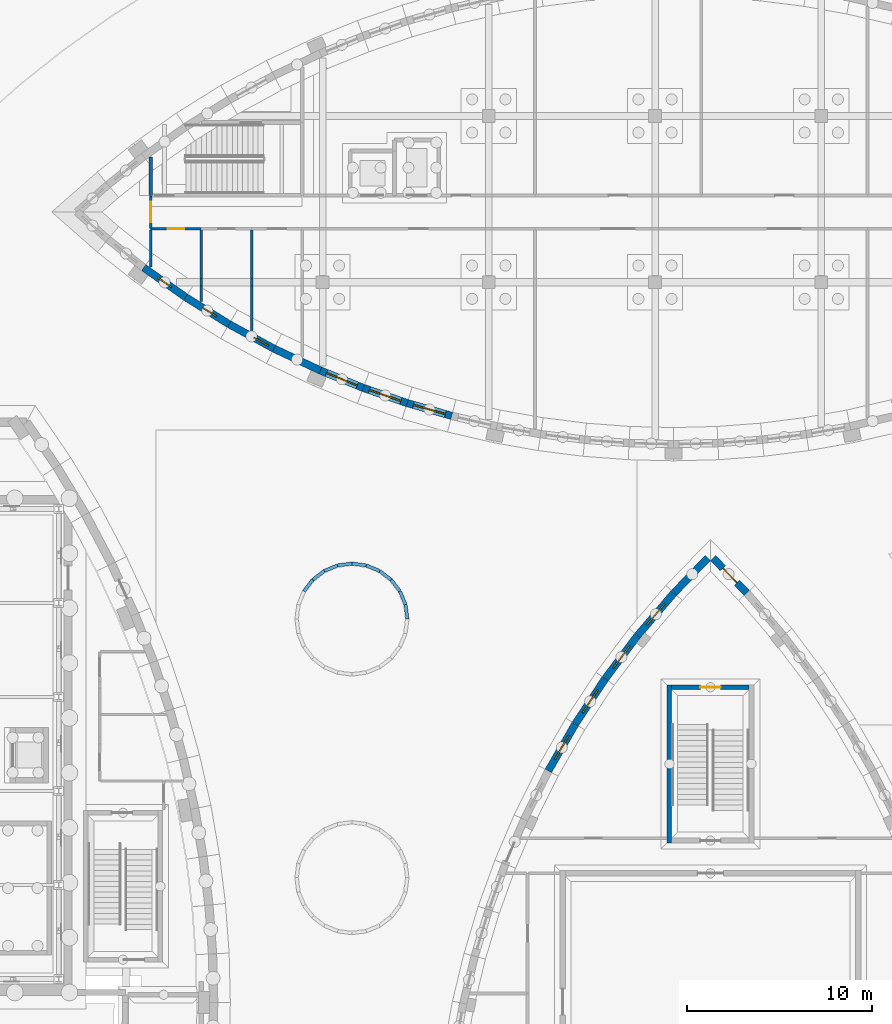
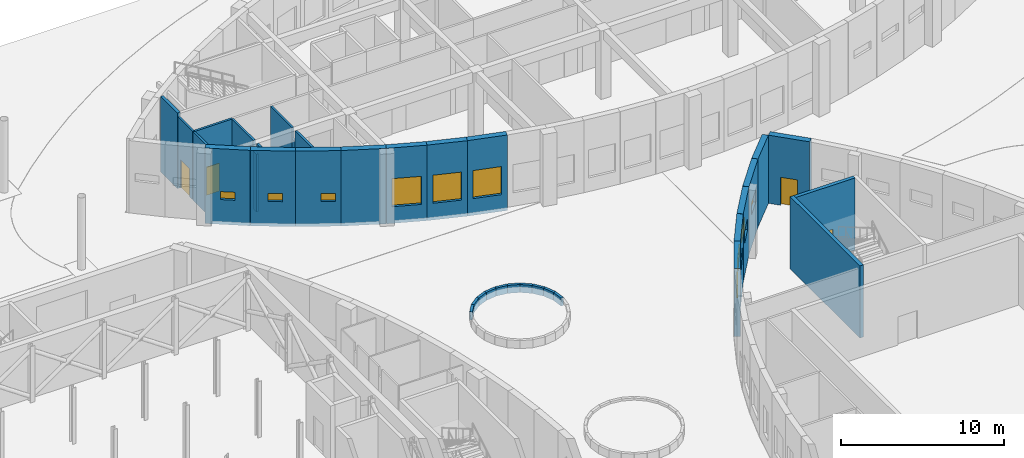
# One storey, part 62 of 82: 35 walls, 10 windows, 4 doors, 14 openings.
"""IFC4 building model written with IfcOpenShell, lengths in metres."""

from ifc_helpers import new_model, si_unit, direction, frame, frame_2d, origin, place, context, subcontext, project, spatial, rectangle, extrude, material, layer, layer_set, type_object, element, fill, save


model = new_model("IFC4")

# Units and contexts
model_context = context("Model", 3, precision=1e-05, world=origin(), true_north=direction((0.0, 1.0)))
body_context = subcontext(model_context, "Body", "Model", "MODEL_VIEW")
ifc_project = project(units=[si_unit("LENGTHUNIT", "METRE"), si_unit("AREAUNIT", "SQUARE_METRE"), si_unit("VOLUMEUNIT", "CUBIC_METRE"), si_unit("PLANEANGLEUNIT", "RADIAN"), si_unit("MASSUNIT", "GRAM", prefix="KILO")], contexts=[model_context])

# Site, building, storey
site_placement = place(None, origin())
site = spatial("IfcSite", under=ifc_project, at=site_placement, CompositionType="ELEMENT")
building_placement = place(site_placement, origin())
building = spatial("IfcBuilding", under=site, at=building_placement, Name="Tide Square Theatres", CompositionType="ELEMENT")
storey_placement = place(building_placement, origin())
storey = spatial("IfcBuildingStorey", under=building, at=storey_placement, Name="L00", CompositionType="ELEMENT", Elevation=0.0)

# Wall
ifc_material_1 = material(Name="Gypsum board on steel studs", Category="steel")
ifc_layer_1 = layer(ifc_material_1, 0.14990234375)
ifc_layer_set_1 = layer_set([ifc_layer_1], Name="Gypsum board on steel studs")
wall_type_1 = type_object("IfcWallType", Name="Partition 150 thick", PredefinedType="PARTITIONING", material=ifc_layer_set_1)
wall_1_placement = place(storey_placement, frame((101.699951171875, 94.8291015625, 0.0), z_axis=(0.0, 0.0, 1.0), x_axis=(0.0, 1.0, 0.0)))
element("IfcWall", 1, at=wall_1_placement, inside=storey, type_object=wall_type_1, Name="Rehearsal Block partition", PredefinedType="PARTITIONING", context=body_context, shape_type="SweptSolid", body=[
    extrude(rectangle(XDim=2.010986328125, YDim=0.14990234375, at=frame_2d((1.00537109375, 0.0))), origin(), (0.0, 0.0, 1.0), 5.1201171875),
])

# Wall, opening, door
wall_2_placement = place(storey_placement, frame((104.433349609375, 96.89990234375, 0.0), z_axis=(0.0, 0.0, 1.0), x_axis=(-1.0, 0.0, 0.0)))
wall_2 = element("IfcWall", 2, at=wall_2_placement, inside=storey, type_object=wall_type_1, Name="Rehearsal Block partition", PredefinedType="PARTITIONING", context=body_context, shape_type="SweptSolid", body=[
    extrude(rectangle(XDim=2.7333984375, YDim=0.14990234375, at=frame_2d((1.36669921875, 0.0))), origin(), (0.0, 0.0, 1.0), 5.1201171875),
])
opening_1_placement = place(wall_2_placement, frame((0.916748046875, 0.0, 0.0)))
opening_1 = element("IfcOpeningElement", 3, at=opening_1_placement, cuts=wall_2, Name="Opening R0-04", PredefinedType="OPENING", context=body_context, shape_type="SweptSolid", body=[
    extrude(rectangle(XDim=0.89990234375, YDim=2.10009765625, at=frame_2d((0.449951171875, 1.050048828125))), frame((0.0, 0.0849609375, 0.0), z_axis=(0.0, -1.0, 0.0), x_axis=(1.0, 0.0, 0.0)), (0.0, 0.0, 1.0), 0.169921875),
])
ifc_material_2 = material(Name="Hardwood timber", Category="wood")
door_type_1 = type_object("IfcDoorType", Name="Door 900 x 2100 single leaf", OperationType="NOTDEFINED", PredefinedType="DOOR", material=ifc_material_2)
door_1_placement = place(opening_1_placement, origin())
door_1 = element("IfcDoor", 4, at=door_1_placement, inside=storey, type_object=door_type_1, Name="Rehearsal Block door R0-04 to Gents WC W", OperationType="SINGLE_SWING_RIGHT", OverallHeight=2.10009765625, OverallWidth=0.89990234375, PredefinedType="DOOR", context=body_context, shape_type="SweptSolid", body=[
    extrude(rectangle(XDim=0.89990234375, YDim=2.10009765625, at=frame_2d((0.449951171875, 1.050048828125))), frame((0.0, 0.02490234375, 0.0), z_axis=(0.0, -1.0, 0.0), x_axis=(1.0, 0.0, 0.0)), (0.0, 0.0, 1.0), 0.050048828125),
])
fill(opening_1, door_1)

wall_3_placement = place(storey_placement, frame((101.699951171875, 96.89990234375, 0.0), z_axis=(0.0, 0.0, 1.0), x_axis=(0.0, 1.0, 0.0)))
wall_3 = element("IfcWall", 5, at=wall_3_placement, inside=storey, type_object=wall_type_1, Name="Rehearsal Block partition", PredefinedType="PARTITIONING", context=body_context, shape_type="SweptSolid", body=[
    extrude(rectangle(XDim=1.77001953125, YDim=0.14990234375, at=frame_2d((0.885009765625, 0.0))), origin(), (0.0, 0.0, 1.0), 5.1201171875),
])
opening_2_placement = place(wall_3_placement, frame((0.35009765625, 0.0, 0.0)))
opening_2 = element("IfcOpeningElement", 6, at=opening_2_placement, cuts=wall_3, Name="Opening R0-10", PredefinedType="OPENING", context=body_context, shape_type="SweptSolid", body=[
    extrude(rectangle(XDim=1.10009765625, YDim=2.10009765625, at=frame_2d((0.550048828125, 1.050048828125))), frame((0.0, 0.0849609375, 0.0), z_axis=(0.0, -1.0, 0.0), x_axis=(1.0, 0.0, 0.0)), (0.0, 0.0, 1.0), 0.169921875),
])
ifc_material_3 = material(Name="Painted steel", Category="steel")
door_type_2 = type_object("IfcDoorType", Name="Door 1100 x 2100 single leaf", OperationType="NOTDEFINED", PredefinedType="DOOR", material=ifc_material_3)
door_2_placement = place(opening_2_placement, origin())
door_2 = element("IfcDoor", 7, at=door_2_placement, inside=storey, type_object=door_type_2, Name="Rehearsal Block door R0-10 to Plant Room W", OperationType="SINGLE_SWING_RIGHT", OverallHeight=2.10009765625, OverallWidth=1.10009765625, PredefinedType="DOOR", context=body_context, shape_type="SweptSolid", body=[
    extrude(rectangle(XDim=1.10009765625, YDim=2.10009765625, at=frame_2d((0.550048828125, 1.050048828125))), frame((0.0, 0.02490234375, 0.0), z_axis=(0.0, -1.0, 0.0), x_axis=(1.0, 0.0, 0.0)), (0.0, 0.0, 1.0), 0.050048828125),
])
fill(opening_2, door_2)

# Walls
wall_4_placement = place(storey_placement, frame((104.433349609375, 96.840087890625, 0.0), z_axis=(0.0, 0.0, 1.0), x_axis=(0.0, -1.0, 0.0)))
element("IfcWall", 8, at=wall_4_placement, inside=storey, type_object=wall_type_1, Name="Rehearsal Block partition", PredefinedType="PARTITIONING", context=body_context, shape_type="SweptSolid", body=[
    extrude(rectangle(XDim=2.64013671875, YDim=0.14990234375, at=frame_2d((1.320068359375, 0.0))), origin(), (0.0, 0.0, 1.0), 5.1201171875),
])
wall_5_placement = place(storey_placement, frame((104.433349609375, 94.199951171875, 0.0), z_axis=(0.0, 0.0, 1.0), x_axis=(0.0, -1.0, 0.0)))
element("IfcWall", 9, at=wall_5_placement, inside=storey, type_object=wall_type_1, Name="Rehearsal Block partition", PredefinedType="PARTITIONING", context=body_context, shape_type="SweptSolid", body=[
    extrude(rectangle(XDim=0.39990234375, YDim=0.14990234375, at=frame_2d((0.199951171875, 0.0))), origin(), (0.0, 0.0, 1.0), 4.320068359375),
])
wall_6_placement = place(storey_placement, frame((104.433349609375, 93.800048828125, 0.0), z_axis=(0.0, 0.0, 1.0), x_axis=(0.0, -1.0, 0.0)))
element("IfcWall", 10, at=wall_6_placement, inside=storey, type_object=wall_type_1, Name="Rehearsal Block partition", PredefinedType="PARTITIONING", context=body_context, shape_type="SweptSolid", body=[
    extrude(rectangle(XDim=0.84033203125, YDim=0.14990234375, at=frame_2d((0.420166015625, 0.0))), origin(), (0.0, 0.0, 1.0), 5.1201171875),
])
wall_7_placement = place(storey_placement, frame((107.166748046875, 96.840087890625, 0.0), z_axis=(0.0, 0.0, 1.0), x_axis=(0.0, -1.0, 0.0)))
element("IfcWall", 11, at=wall_7_placement, inside=storey, type_object=wall_type_1, Name="Rehearsal Block partition", PredefinedType="PARTITIONING", context=body_context, shape_type="SweptSolid", body=[
    extrude(rectangle(XDim=2.64013671875, YDim=0.14990234375, at=frame_2d((1.320068359375, 0.0))), origin(), (0.0, 0.0, 1.0), 5.1201171875),
])
wall_8_placement = place(storey_placement, frame((107.166748046875, 94.199951171875, 0.0), z_axis=(0.0, 0.0, 1.0), x_axis=(0.0, -1.0, 0.0)))
element("IfcWall", 12, at=wall_8_placement, inside=storey, type_object=wall_type_1, Name="Rehearsal Block partition", PredefinedType="PARTITIONING", context=body_context, shape_type="SweptSolid", body=[
    extrude(rectangle(XDim=0.39990234375, YDim=0.14990234375, at=frame_2d((0.199951171875, 0.0))), origin(), (0.0, 0.0, 1.0), 4.320068359375),
])
wall_9_placement = place(storey_placement, frame((107.166748046875, 93.800048828125, 0.0), z_axis=(0.0, 0.0, 1.0), x_axis=(0.0, -1.0, 0.0)))
element("IfcWall", 13, at=wall_9_placement, inside=storey, type_object=wall_type_1, Name="Rehearsal Block partition", PredefinedType="PARTITIONING", context=body_context, shape_type="SweptSolid", body=[
    extrude(rectangle(XDim=2.455078125, YDim=0.14990234375, at=frame_2d((1.2275390625, 0.0))), origin(), (0.0, 0.0, 1.0), 5.1201171875),
])

# Wall, opening, door
ifc_material_4 = material(Name="Concrete C40", Category="concrete")
ifc_layer_2 = layer(ifc_material_4, 0.39990234375)
ifc_layer_set_2 = layer_set([ifc_layer_2], Name="Concrete C40")
wall_type_2 = type_object("IfcWallType", Name="RC curved wall 400 thick", PredefinedType="SOLIDWALL", material=ifc_layer_set_2)
wall_10_placement = place(storey_placement, frame((133.967529296875, 77.184814453125, 0.0), z_axis=(0.0, 0.0, 1.0), x_axis=(-0.696353968975, 0.71769850905, 0.0)))
wall_10 = element("IfcWall", 14, at=wall_10_placement, inside=storey, type_object=wall_type_2, Name="Black Box Theatre perimeter wall", PredefinedType="SOLIDWALL", context=body_context, shape_type="SweptSolid", body=[
    extrude(rectangle(XDim=2.619384765625, YDim=0.39990234375, at=frame_2d((1.3095703125, 0.0))), origin(), (0.0, 0.0, 1.0), 5.10009765625),
])
opening_3_placement = place(wall_10_placement, frame((0.759765625, 0.0, 0.0)))
opening_3 = element("IfcOpeningElement", 15, at=opening_3_placement, cuts=wall_10, Name="Opening B00-03", PredefinedType="OPENING", context=body_context, shape_type="SweptSolid", body=[
    extrude(rectangle(XDim=1.10009765625, YDim=2.10009765625, at=frame_2d((0.550048828125, 1.050048828125))), frame((0.0, 0.2099609375, 0.0), z_axis=(0.0, -1.0, 0.0), x_axis=(1.0, 0.0, 0.0)), (0.0, 0.0, 1.0), 0.419921875),
])
door_3_placement = place(opening_3_placement, frame((1.10009765625, 0.0, 0.0), z_axis=(0.0, 0.0, 1.0), x_axis=(-1.0, 0.0, 0.0)))
door_3 = element("IfcDoor", 16, at=door_3_placement, inside=storey, type_object=door_type_2, Name="Black Box Theatre exit passage door 1", OperationType="SINGLE_SWING_RIGHT", OverallHeight=2.10009765625, OverallWidth=1.10009765625, PredefinedType="DOOR", context=body_context, shape_type="SweptSolid", body=[
    extrude(rectangle(XDim=1.10009765625, YDim=2.10009765625, at=frame_2d((0.550048828125, 1.050048828125))), frame((0.0, 0.02490234375, 0.0), z_axis=(0.0, -1.0, 0.0), x_axis=(1.0, 0.0, 0.0)), (0.0, 0.0, 1.0), 0.050048828125),
])
fill(opening_3, door_3)

# Wall
wall_11_placement = place(storey_placement, frame((131.8564453125, 79.064697265625, 0.0), z_axis=(0.0, 0.0, 1.0), x_axis=(-0.696353968975, -0.71769850905, 0.0)))
element("IfcWall", 17, at=wall_11_placement, inside=storey, type_object=wall_type_2, Name="Black Box Theatre perimeter wall", PredefinedType="SOLIDWALL", context=body_context, shape_type="SweptSolid", body=[
    extrude(rectangle(XDim=2.619384765625, YDim=0.39990234375, at=frame_2d((1.3095703125, 0.0))), origin(), (0.0, 0.0, 1.0), 5.10009765625),
])

# Wall, opening, window
wall_12_placement = place(storey_placement, frame((130.02392578125, 77.175537109375, 0.0), z_axis=(0.0, 0.0, 1.0), x_axis=(-0.649458578854, -0.760396971557, 0.0)))
wall_12 = element("IfcWall", 18, at=wall_12_placement, inside=storey, type_object=wall_type_2, Name="Black Box Theatre perimeter wall", PredefinedType="SOLIDWALL", context=body_context, shape_type="SweptSolid", body=[
    extrude(rectangle(XDim=3.019287109375, YDim=0.39990234375, at=frame_2d((1.509765625, 0.0))), origin(), (0.0, 0.0, 1.0), 5.10009765625),
])
opening_4_placement = place(wall_12_placement, frame((0.759521484375, 0.0, 2.39990234375)))
opening_4 = element("IfcOpeningElement", 19, at=opening_4_placement, cuts=wall_12, Name="Opening WN-04", PredefinedType="OPENING", context=body_context, shape_type="SweptSolid", body=[
    extrude(rectangle(XDim=1.5, YDim=0.89990234375, at=frame_2d((0.75, 0.449951171875))), frame((0.0, 0.2099609375, 0.0), z_axis=(0.0, -1.0, 0.0), x_axis=(1.0, 0.0, 0.0)), (0.0, 0.0, 1.0), 0.419921875),
])
ifc_material_5 = material(Name="Aluminium with laminated glass", Category="aluminium")
window_type_1 = type_object("IfcWindowType", Name="Window 1500 x 900", PartitioningType="SINGLE_PANEL", PredefinedType="WINDOW", material=ifc_material_5)
window_1_placement = place(opening_4_placement, origin())
window_1 = element("IfcWindow", 20, at=window_1_placement, inside=storey, type_object=window_type_1, Name="Black Box Theatre Rostra Store window", OverallHeight=0.89990234375, OverallWidth=1.5, PartitioningType="SINGLE_PANEL", PredefinedType="WINDOW", context=body_context, shape_type="SweptSolid", body=[
    extrude(rectangle(XDim=1.5, YDim=0.89990234375, at=frame_2d((0.75, 0.449951171875))), frame((0.0, 0.030029296875, 0.0), z_axis=(0.0, -1.0, 0.0), x_axis=(1.0, 0.0, 0.0)), (0.0, 0.0, 1.0), 0.06005859375),
])
fill(opening_4, window_1)

wall_13_placement = place(storey_placement, frame((128.055419921875, 74.869873046875, 0.0), z_axis=(0.0, 0.0, 1.0), x_axis=(-0.600829330321, -0.799377330068, 0.0)))
wall_13 = element("IfcWall", 21, at=wall_13_placement, inside=storey, type_object=wall_type_2, Name="Black Box Theatre perimeter wall", PredefinedType="SOLIDWALL", context=body_context, shape_type="SweptSolid", body=[
    extrude(rectangle(XDim=2.919189453125, YDim=0.39990234375, at=frame_2d((1.45947265625, 0.0))), origin(), (0.0, 0.0, 1.0), 5.10009765625),
])
opening_5_placement = place(wall_13_placement, frame((0.709716796875, 0.0, 2.39990234375)))
opening_5 = element("IfcOpeningElement", 22, at=opening_5_placement, cuts=wall_13, Name="Opening WN-04", PredefinedType="OPENING", context=body_context, shape_type="SweptSolid", body=[
    extrude(rectangle(XDim=1.5, YDim=0.89990234375, at=frame_2d((0.75, 0.449951171875))), frame((0.0, 0.2099609375, 0.0), z_axis=(0.0, -1.0, 0.0), x_axis=(1.0, 0.0, 0.0)), (0.0, 0.0, 1.0), 0.419921875),
])
window_2_placement = place(opening_5_placement, origin())
window_2 = element("IfcWindow", 23, at=window_2_placement, inside=storey, type_object=window_type_1, Name="Black Box Theatre Rostra Store window", OverallHeight=0.89990234375, OverallWidth=1.5, PartitioningType="SINGLE_PANEL", PredefinedType="WINDOW", context=body_context, shape_type="SweptSolid", body=[
    extrude(rectangle(XDim=1.5, YDim=0.89990234375, at=frame_2d((0.75, 0.449951171875))), frame((0.0, 0.030029296875, 0.0), z_axis=(0.0, -1.0, 0.0), x_axis=(1.0, 0.0, 0.0)), (0.0, 0.0, 1.0), 0.06005859375),
])
fill(opening_5, window_2)

wall_14_placement = place(storey_placement, frame((126.29443359375, 72.5263671875, 0.0), z_axis=(0.0, 0.0, 1.0), x_axis=(-0.550602185206, -0.834767772285, 0.0)))
wall_14 = element("IfcWall", 24, at=wall_14_placement, inside=storey, type_object=wall_type_2, Name="Black Box Theatre perimeter wall", PredefinedType="SOLIDWALL", context=body_context, shape_type="SweptSolid", body=[
    extrude(rectangle(XDim=2.91943359375, YDim=0.39990234375, at=frame_2d((1.459716796875, 0.0))), origin(), (0.0, 0.0, 1.0), 5.10009765625),
])
opening_6_placement = place(wall_14_placement, frame((0.709716796875, 0.0, 2.39990234375)))
opening_6 = element("IfcOpeningElement", 25, at=opening_6_placement, cuts=wall_14, Name="Opening WN-04", PredefinedType="OPENING", context=body_context, shape_type="SweptSolid", body=[
    extrude(rectangle(XDim=1.5, YDim=0.89990234375, at=frame_2d((0.75, 0.449951171875))), frame((0.0, 0.2099609375, 0.0), z_axis=(0.0, -1.0, 0.0), x_axis=(1.0, 0.0, 0.0)), (0.0, 0.0, 1.0), 0.419921875),
])
window_3_placement = place(opening_6_placement, origin())
window_3 = element("IfcWindow", 26, at=window_3_placement, inside=storey, type_object=window_type_1, Name="Black Box Theatre Rostra Store window", OverallHeight=0.89990234375, OverallWidth=1.5, PartitioningType="SINGLE_PANEL", PredefinedType="WINDOW", context=body_context, shape_type="SweptSolid", body=[
    extrude(rectangle(XDim=1.5, YDim=0.89990234375, at=frame_2d((0.75, 0.449951171875))), frame((0.0, 0.030029296875, 0.0), z_axis=(0.0, -1.0, 0.0), x_axis=(1.0, 0.0, 0.0)), (0.0, 0.0, 1.0), 0.06005859375),
])
fill(opening_6, window_3)

wall_15_placement = place(storey_placement, frame((124.6806640625, 70.0791015625, 0.0), z_axis=(0.0, 0.0, 1.0), x_axis=(-0.498406705095, -0.866943340892, 0.0)))
wall_15 = element("IfcWall", 27, at=wall_15_placement, inside=storey, type_object=wall_type_2, Name="Black Box Theatre perimeter wall", PredefinedType="SOLIDWALL", context=body_context, shape_type="SweptSolid", body=[
    extrude(rectangle(XDim=2.91943359375, YDim=0.39990234375, at=frame_2d((1.459716796875, 0.0))), origin(), (0.0, 0.0, 1.0), 5.10009765625),
])
opening_7_placement = place(wall_15_placement, frame((0.709716796875, 0.0, 2.39990234375)))
opening_7 = element("IfcOpeningElement", 28, at=opening_7_placement, cuts=wall_15, Name="Opening WN-04", PredefinedType="OPENING", context=body_context, shape_type="SweptSolid", body=[
    extrude(rectangle(XDim=1.5, YDim=0.89990234375, at=frame_2d((0.75, 0.449951171875))), frame((0.0, 0.2099609375, 0.0), z_axis=(0.0, -1.0, 0.0), x_axis=(1.0, 0.0, 0.0)), (0.0, 0.0, 1.0), 0.419921875),
])
window_4_placement = place(opening_7_placement, origin())
window_4 = element("IfcWindow", 29, at=window_4_placement, inside=storey, type_object=window_type_1, Name="Black Box Theatre Rostra Store window", OverallHeight=0.89990234375, OverallWidth=1.5, PartitioningType="SINGLE_PANEL", PredefinedType="WINDOW", context=body_context, shape_type="SweptSolid", body=[
    extrude(rectangle(XDim=1.5, YDim=0.89990234375, at=frame_2d((0.75, 0.449951171875))), frame((0.0, 0.030029296875, 0.0), z_axis=(0.0, -1.0, 0.0), x_axis=(1.0, 0.0, 0.0)), (0.0, 0.0, 1.0), 0.06005859375),
])
fill(opening_7, window_4)

wall_16_placement = place(storey_placement, frame((101.31982421875, 94.79150390625, -0.25), z_axis=(0.0, 0.0, 1.0), x_axis=(0.817028877428, -0.576596751161, 0.0)))
wall_16 = element("IfcWall", 30, at=wall_16_placement, inside=storey, type_object=wall_type_2, Name="Rehearsal Block perimeter wall 002", PredefinedType="SOLIDWALL", context=body_context, shape_type="SweptSolid", body=[
    extrude(rectangle(XDim=2.772216796875, YDim=0.39990234375, at=frame_2d((1.38623046875, 0.0))), origin(), (0.0, 0.0, 1.0), 5.64990234375),
])
opening_8_placement = place(wall_16_placement, frame((0.93603515625, 0.0, 1.85009765625)))
opening_8 = element("IfcOpeningElement", 31, at=opening_8_placement, cuts=wall_16, Name="Opening WN-12", PredefinedType="OPENING", context=body_context, shape_type="SweptSolid", body=[
    extrude(rectangle(XDim=0.89990234375, YDim=0.60009765625, at=frame_2d((0.449951171875, 0.300048828125))), frame((0.0, 0.2099609375, 0.0), z_axis=(0.0, -1.0, 0.0), x_axis=(1.0, 0.0, 0.0)), (0.0, 0.0, 1.0), 0.419921875),
])
ifc_material_6 = material(Name="Aluminium with laminated glass", Category="aluminium")
window_type_2 = type_object("IfcWindowType", Name="Window 900 x 600", PartitioningType="SINGLE_PANEL", PredefinedType="WINDOW", material=ifc_material_6)
window_5_placement = place(opening_8_placement, origin())
window_5 = element("IfcWindow", 32, at=window_5_placement, inside=storey, type_object=window_type_2, Name="Rehearsal Block window L00-3", OverallHeight=0.60009765625, OverallWidth=0.89990234375, PartitioningType="SINGLE_PANEL", PredefinedType="WINDOW", context=body_context, shape_type="SweptSolid", body=[
    extrude(rectangle(XDim=0.89990234375, YDim=0.60009765625, at=frame_2d((0.449951171875, 0.300048828125))), frame((0.0, 0.030029296875, 0.0), z_axis=(0.0, -1.0, 0.0), x_axis=(1.0, 0.0, 0.0)), (0.0, 0.0, 1.0), 0.06005859375),
])
fill(opening_8, window_5)

wall_17_placement = place(storey_placement, frame((103.584716796875, 93.193115234375, -0.25), z_axis=(0.0, 0.0, 1.0), x_axis=(0.84912946359, -0.528184772653, 0.0)))
wall_17 = element("IfcWall", 33, at=wall_17_placement, inside=storey, type_object=wall_type_2, Name="Rehearsal Block perimeter wall 003", PredefinedType="SOLIDWALL", context=body_context, shape_type="SweptSolid", body=[
    extrude(rectangle(XDim=2.77197265625, YDim=0.39990234375, at=frame_2d((1.385986328125, 0.0))), origin(), (0.0, 0.0, 1.0), 5.64990234375),
])
opening_9_placement = place(wall_17_placement, frame((1.0859375, 0.0, 1.85009765625)))
opening_9 = element("IfcOpeningElement", 34, at=opening_9_placement, cuts=wall_17, Name="Opening WN-12", PredefinedType="OPENING", context=body_context, shape_type="SweptSolid", body=[
    extrude(rectangle(XDim=0.89990234375, YDim=0.60009765625, at=frame_2d((0.449951171875, 0.300048828125))), frame((0.0, 0.2099609375, 0.0), z_axis=(0.0, -1.0, 0.0), x_axis=(1.0, 0.0, 0.0)), (0.0, 0.0, 1.0), 0.419921875),
])
window_6_placement = place(opening_9_placement, origin())
window_6 = element("IfcWindow", 35, at=window_6_placement, inside=storey, type_object=window_type_2, Name="Rehearsal Block window L00-4", OverallHeight=0.60009765625, OverallWidth=0.89990234375, PartitioningType="SINGLE_PANEL", PredefinedType="WINDOW", context=body_context, shape_type="SweptSolid", body=[
    extrude(rectangle(XDim=0.89990234375, YDim=0.60009765625, at=frame_2d((0.449951171875, 0.300048828125))), frame((0.0, 0.030029296875, 0.0), z_axis=(0.0, -1.0, 0.0), x_axis=(1.0, 0.0, 0.0)), (0.0, 0.0, 1.0), 0.06005859375),
])
fill(opening_9, window_6)

wall_18_placement = place(storey_placement, frame((105.9384765625, 91.72900390625, -0.25), z_axis=(0.0, 0.0, 1.0), x_axis=(0.878292493566, -0.478123724308, 0.0)))
wall_18 = element("IfcWall", 36, at=wall_18_placement, inside=storey, type_object=wall_type_2, Name="Rehearsal Block perimeter wall 004", PredefinedType="SOLIDWALL", context=body_context, shape_type="SweptSolid", body=[
    extrude(rectangle(XDim=2.771728515625, YDim=0.39990234375, at=frame_2d((1.3857421875, 0.0))), origin(), (0.0, 0.0, 1.0), 5.64990234375),
])
opening_10_placement = place(wall_18_placement, frame((1.535888671875, 0.0, 1.85009765625)))
opening_10 = element("IfcOpeningElement", 37, at=opening_10_placement, cuts=wall_18, Name="Opening WN-12", PredefinedType="OPENING", context=body_context, shape_type="SweptSolid", body=[
    extrude(rectangle(XDim=0.89990234375, YDim=0.60009765625, at=frame_2d((0.449951171875, 0.300048828125))), frame((0.0, 0.2099609375, 0.0), z_axis=(0.0, -1.0, 0.0), x_axis=(1.0, 0.0, 0.0)), (0.0, 0.0, 1.0), 0.419921875),
])
window_7_placement = place(opening_10_placement, origin())
window_7 = element("IfcWindow", 38, at=window_7_placement, inside=storey, type_object=window_type_2, Name="Rehearsal Block window L00-5", OverallHeight=0.60009765625, OverallWidth=0.89990234375, PartitioningType="SINGLE_PANEL", PredefinedType="WINDOW", context=body_context, shape_type="SweptSolid", body=[
    extrude(rectangle(XDim=0.89990234375, YDim=0.60009765625, at=frame_2d((0.449951171875, 0.300048828125))), frame((0.0, 0.030029296875, 0.0), z_axis=(0.0, -1.0, 0.0), x_axis=(1.0, 0.0, 0.0)), (0.0, 0.0, 1.0), 0.06005859375),
])
fill(opening_10, window_7)

# Wall
wall_19_placement = place(storey_placement, frame((108.372802734375, 90.40380859375, -0.25), z_axis=(0.0, 0.0, 1.0), x_axis=(0.904527098751, -0.42641614372, 0.0)))
element("IfcWall", 39, at=wall_19_placement, inside=storey, type_object=wall_type_2, Name="Rehearsal Block perimeter wall 005", PredefinedType="SOLIDWALL", context=body_context, shape_type="SweptSolid", body=[
    extrude(rectangle(XDim=2.772216796875, YDim=0.39990234375, at=frame_2d((1.38623046875, 0.0))), origin(), (0.0, 0.0, 1.0), 5.64990234375),
])

# Wall, opening, window
wall_20_placement = place(storey_placement, frame((110.88037109375, 89.2216796875, -0.25), z_axis=(0.0, 0.0, 1.0), x_axis=(0.926722795862, -0.375745738007, 0.0)))
wall_20 = element("IfcWall", 40, at=wall_20_placement, inside=storey, type_object=wall_type_2, Name="Rehearsal Block perimeter wall 006", PredefinedType="SOLIDWALL", context=body_context, shape_type="SweptSolid", body=[
    extrude(rectangle(XDim=2.5107421875, YDim=0.39990234375, at=frame_2d((1.25537109375, 0.0))), origin(), (0.0, 0.0, 1.0), 5.64990234375),
])
opening_11_placement = place(wall_20_placement, frame((0.35546875, 0.0, 1.25)))
opening_11 = element("IfcOpeningElement", 41, at=opening_11_placement, cuts=wall_20, Name="Opening WN-14", PredefinedType="OPENING", context=body_context, shape_type="SweptSolid", body=[
    extrude(rectangle(XDim=1.800048828125, YDim=2.10009765625, at=frame_2d((0.89990234375, 1.050048828125))), frame((0.0, 0.2099609375, 0.0), z_axis=(0.0, -1.0, 0.0), x_axis=(1.0, 0.0, 0.0)), (0.0, 0.0, 1.0), 0.419921875),
])
ifc_material_7 = material(Name="Aluminium with laminated glass", Category="aluminium")
window_type_3 = type_object("IfcWindowType", Name="Window 1800 x 2100", PartitioningType="DOUBLE_PANEL_VERTICAL", PredefinedType="WINDOW", material=ifc_material_7)
window_8_placement = place(opening_11_placement, origin())
window_8 = element("IfcWindow", 42, at=window_8_placement, inside=storey, type_object=window_type_3, Name="Rehearsal Block window L00-6", OverallHeight=2.10009765625, OverallWidth=1.800048828125, PartitioningType="SINGLE_PANEL", PredefinedType="WINDOW", context=body_context, shape_type="SweptSolid", body=[
    extrude(rectangle(XDim=1.800048828125, YDim=2.10009765625, at=frame_2d((0.89990234375, 1.050048828125))), frame((0.0, 0.030029296875, 0.0), z_axis=(0.0, -1.0, 0.0), x_axis=(1.0, 0.0, 0.0)), (0.0, 0.0, 1.0), 0.06005859375),
])
fill(opening_11, window_8)

wall_21_placement = place(storey_placement, frame((113.20703125, 88.2783203125, -0.25), z_axis=(0.0, 0.0, 1.0), x_axis=(0.94514546406, -0.326649738659, 0.0)))
wall_21 = element("IfcWall", 43, at=wall_21_placement, inside=storey, type_object=wall_type_2, Name="Rehearsal Block perimeter wall 007", PredefinedType="SOLIDWALL", context=body_context, shape_type="SweptSolid", body=[
    extrude(rectangle(XDim=2.51123046875, YDim=0.39990234375, at=frame_2d((1.255615234375, 0.0))), origin(), (0.0, 0.0, 1.0), 5.64990234375),
])
opening_12_placement = place(wall_21_placement, frame((0.35546875, 0.0, 1.25)))
opening_12 = element("IfcOpeningElement", 44, at=opening_12_placement, cuts=wall_21, Name="Opening WN-14", PredefinedType="OPENING", context=body_context, shape_type="SweptSolid", body=[
    extrude(rectangle(XDim=1.800048828125, YDim=2.10009765625, at=frame_2d((0.89990234375, 1.050048828125))), frame((0.0, 0.2099609375, 0.0), z_axis=(0.0, -1.0, 0.0), x_axis=(1.0, 0.0, 0.0)), (0.0, 0.0, 1.0), 0.419921875),
])
window_9_placement = place(opening_12_placement, origin())
window_9 = element("IfcWindow", 45, at=window_9_placement, inside=storey, type_object=window_type_3, Name="Rehearsal Block window L00-7", OverallHeight=2.10009765625, OverallWidth=1.800048828125, PartitioningType="SINGLE_PANEL", PredefinedType="WINDOW", context=body_context, shape_type="SweptSolid", body=[
    extrude(rectangle(XDim=1.800048828125, YDim=2.10009765625, at=frame_2d((0.89990234375, 1.050048828125))), frame((0.0, 0.030029296875, 0.0), z_axis=(0.0, -1.0, 0.0), x_axis=(1.0, 0.0, 0.0)), (0.0, 0.0, 1.0), 0.06005859375),
])
fill(opening_12, window_9)

wall_22_placement = place(storey_placement, frame((115.58056640625, 87.4580078125, -0.25), z_axis=(0.0, 0.0, 1.0), x_axis=(0.961008605775, -0.276518461637, 0.0)))
wall_22 = element("IfcWall", 46, at=wall_22_placement, inside=storey, type_object=wall_type_2, Name="Rehearsal Block perimeter wall 008", PredefinedType="SOLIDWALL", context=body_context, shape_type="SweptSolid", body=[
    extrude(rectangle(XDim=2.510986328125, YDim=0.39990234375, at=frame_2d((1.25537109375, 0.0))), origin(), (0.0, 0.0, 1.0), 5.64990234375),
])
opening_13_placement = place(wall_22_placement, frame((0.35546875, 0.0, 1.25)))
opening_13 = element("IfcOpeningElement", 47, at=opening_13_placement, cuts=wall_22, Name="Opening WN-14", PredefinedType="OPENING", context=body_context, shape_type="SweptSolid", body=[
    extrude(rectangle(XDim=1.800048828125, YDim=2.10009765625, at=frame_2d((0.89990234375, 1.050048828125))), frame((0.0, 0.2099609375, 0.0), z_axis=(0.0, -1.0, 0.0), x_axis=(1.0, 0.0, 0.0)), (0.0, 0.0, 1.0), 0.419921875),
])
window_10_placement = place(opening_13_placement, origin())
window_10 = element("IfcWindow", 48, at=window_10_placement, inside=storey, type_object=window_type_3, Name="Rehearsal Block window L00-8", OverallHeight=2.10009765625, OverallWidth=1.800048828125, PartitioningType="SINGLE_PANEL", PredefinedType="WINDOW", context=body_context, shape_type="SweptSolid", body=[
    extrude(rectangle(XDim=1.800048828125, YDim=2.10009765625, at=frame_2d((0.89990234375, 1.050048828125))), frame((0.0, 0.030029296875, 0.0), z_axis=(0.0, -1.0, 0.0), x_axis=(1.0, 0.0, 0.0)), (0.0, 0.0, 1.0), 0.06005859375),
])
fill(opening_13, window_10)

# Walls
ifc_material_8 = material(Name="Concrete C40", Category="concrete")
ifc_layer_3 = layer(ifc_material_8, 0.179931640625)
ifc_layer_set_3 = layer_set([ifc_layer_3], Name="Concrete C40")
wall_type_3 = type_object("IfcWallType", Name="RC parapet 180 thick", PredefinedType="PARAPET", material=ifc_layer_set_3)
for number, where, z_axis, x_axis, name in (
    (49, (109.994873046875, 77.266845703125, 0.0), (0.0, 0.0, 1.0), (0.608791411033, 0.793330333374, 0.0), "Planter wall"),
    (50, (110.4716796875, 77.88818359375, 0.0), (0.0, 0.0, 1.0), (0.793330333374, 0.608791411033, 0.0), "Planter wall"),
):
    element("IfcWall", number, at=place(storey_placement, frame(where, z_axis=z_axis, x_axis=x_axis)), inside=storey, type_object=wall_type_3, Name=name, PredefinedType="PARAPET", context=body_context, shape_type="SweptSolid", body=[
        extrude(rectangle(XDim=0.783203125, YDim=0.179931640625, at=frame_2d((0.3916015625, 0.0))), origin(), (0.0, 0.0, 1.0), 0.60009765625),
    ])
wall_23_placement = place(storey_placement, frame((111.093017578125, 78.364990234375, 0.0), z_axis=(0.0, 0.0, 1.0), x_axis=(0.923914231908, 0.382599649866, 0.0)))
element("IfcWall", 51, at=wall_23_placement, inside=storey, type_object=wall_type_3, Name="Planter wall", PredefinedType="PARAPET", context=body_context, shape_type="SweptSolid", body=[
    extrude(rectangle(XDim=0.782958984375, YDim=0.179931640625, at=frame_2d((0.3916015625, 0.0))), origin(), (0.0, 0.0, 1.0), 0.60009765625),
])
wall_24_placement = place(storey_placement, frame((111.81640625, 78.66455078125, 0.0), z_axis=(0.0, 0.0, 1.0), x_axis=(0.991436251812, 0.130591571678, 0.0)))
element("IfcWall", 52, at=wall_24_placement, inside=storey, type_object=wall_type_3, Name="Planter wall", PredefinedType="PARAPET", context=body_context, shape_type="SweptSolid", body=[
    extrude(rectangle(XDim=0.783203125, YDim=0.179931640625, at=frame_2d((0.3916015625, 0.0))), origin(), (0.0, 0.0, 1.0), 0.60009765625),
])
wall_25_placement = place(storey_placement, frame((112.593017578125, 78.766845703125, 0.0), z_axis=(0.0, 0.0, 1.0), x_axis=(0.991430934002, -0.130631937531, 0.0)))
element("IfcWall", 53, at=wall_25_placement, inside=storey, type_object=wall_type_3, Name="Planter wall", PredefinedType="PARAPET", context=body_context, shape_type="SweptSolid", body=[
    extrude(rectangle(XDim=0.782958984375, YDim=0.179931640625, at=frame_2d((0.3916015625, 0.0))), origin(), (0.0, 0.0, 1.0), 0.60009765625),
])
wall_26_placement = place(storey_placement, frame((113.369384765625, 78.66455078125, 0.0), z_axis=(0.0, 0.0, 1.0), x_axis=(0.923959856763, -0.382489454875, 0.0)))
element("IfcWall", 54, at=wall_26_placement, inside=storey, type_object=wall_type_3, Name="Planter wall", PredefinedType="PARAPET", context=body_context, shape_type="SweptSolid", body=[
    extrude(rectangle(XDim=0.783203125, YDim=0.179931640625, at=frame_2d((0.3916015625, 0.0))), origin(), (0.0, 0.0, 1.0), 0.60009765625),
])
wall_27_placement = place(storey_placement, frame((114.093017578125, 78.364990234375, 0.0), z_axis=(0.0, 0.0, 1.0), x_axis=(0.793214758236, -0.608941990108, 0.0)))
element("IfcWall", 55, at=wall_27_placement, inside=storey, type_object=wall_type_3, Name="Planter wall", PredefinedType="PARAPET", context=body_context, shape_type="SweptSolid", body=[
    extrude(rectangle(XDim=0.782958984375, YDim=0.179931640625, at=frame_2d((0.3916015625, 0.0))), origin(), (0.0, 0.0, 1.0), 0.60009765625),
])
for number, where, z_axis, x_axis, name in (
    (56, (114.714111328125, 77.88818359375, 0.0), (0.0, 0.0, 1.0), (0.608791411033, -0.793330333374, 0.0), "Planter wall"),
    (57, (115.19091796875, 77.266845703125, 0.0), (0.0, 0.0, 1.0), (0.382755529478, -0.923849665613, 0.0), "Planter wall"),
):
    element("IfcWall", number, at=place(storey_placement, frame(where, z_axis=z_axis, x_axis=x_axis)), inside=storey, type_object=wall_type_3, Name=name, PredefinedType="PARAPET", context=body_context, shape_type="SweptSolid", body=[
        extrude(rectangle(XDim=0.783203125, YDim=0.179931640625, at=frame_2d((0.3916015625, 0.0))), origin(), (0.0, 0.0, 1.0), 0.60009765625),
    ])
wall_28_placement = place(storey_placement, frame((115.49072265625, 76.543212890625, 0.0), z_axis=(0.0, 0.0, 1.0), x_axis=(0.130631937531, -0.991430934002, 0.0)))
element("IfcWall", 58, at=wall_28_placement, inside=storey, type_object=wall_type_3, Name="Planter wall", PredefinedType="PARAPET", context=body_context, shape_type="SweptSolid", body=[
    extrude(rectangle(XDim=0.782958984375, YDim=0.179931640625, at=frame_2d((0.3916015625, 0.0))), origin(), (0.0, 0.0, 1.0), 0.60009765625),
])
ifc_material_9 = material(Name="Concrete C40", Category="concrete")
ifc_layer_4 = layer(ifc_material_9, 0.199951171875)
ifc_layer_set_4 = layer_set([ifc_layer_4], Name="Concrete C40")
wall_type_4 = type_object("IfcWallType", Name="RC shear wall 200 thick", PredefinedType="SHEAR", material=ifc_layer_set_4)
wall_29_placement = place(storey_placement, frame((101.699951171875, 98.699951171875, -0.25), z_axis=(0.0, 0.0, 1.0), x_axis=(0.0, 1.0, 0.0)))
element("IfcWall", 59, at=wall_29_placement, inside=storey, type_object=wall_type_4, Name="Rehearsal Block stair enclosure wall", PredefinedType="SHEAR", context=body_context, shape_type="SweptSolid", body=[
    extrude(rectangle(XDim=2.07080078125, YDim=0.199951171875, at=frame_2d((1.035400390625, 0.0))), origin(), (0.0, 0.0, 1.0), 5.64990234375),
])
ifc_material_10 = material(Name="Concrete C40", Category="concrete")
ifc_layer_5 = layer(ifc_material_10, 0.25)
ifc_layer_set_5 = layer_set([ifc_layer_5], Name="Concrete C40")
wall_type_5 = type_object("IfcWallType", Name="RC shear wall 250 thick", PredefinedType="SHEAR", material=ifc_layer_set_5)
wall_30_placement = place(storey_placement, frame((129.77490234375, 72.199951171875, 0.0), z_axis=(0.0, 0.0, 1.0), x_axis=(0.0, -1.0, 0.0)))
element("IfcWall", 60, at=wall_30_placement, inside=storey, type_object=wall_type_5, Name="Black Box Theatre Stair B1 shaft wall", PredefinedType="SHEAR", context=body_context, shape_type="SweptSolid", body=[
    extrude(rectangle(XDim=8.550048828125, YDim=0.25, at=frame_2d((4.27490234375, 0.0))), origin(), (0.0, 0.0, 1.0), 5.39990234375),
])

# Wall, opening, door
wall_31_placement = place(storey_placement, frame((129.89990234375, 72.074951171875, 0.0), z_axis=(0.0, 0.0, 1.0), x_axis=(1.0, 0.0, 0.0)))
wall_31 = element("IfcWall", 61, at=wall_31_placement, inside=storey, type_object=wall_type_5, Name="Black Box Theatre Stair B1 shaft wall", PredefinedType="SHEAR", context=body_context, shape_type="SweptSolid", body=[
    extrude(rectangle(XDim=4.2001953125, YDim=0.25, at=frame_2d((2.10009765625, 0.0))), origin(), (0.0, 0.0, 1.0), 5.39990234375),
])
opening_14_placement = place(wall_31_placement, frame((1.550048828125, 0.0, 0.0)))
opening_14 = element("IfcOpeningElement", 62, at=opening_14_placement, cuts=wall_31, Name="Opening B00-23", PredefinedType="OPENING", context=body_context, shape_type="SweptSolid", body=[
    extrude(rectangle(XDim=1.10009765625, YDim=2.10009765625, at=frame_2d((0.550048828125, 1.050048828125))), frame((0.0, 0.135009765625, 0.0), z_axis=(0.0, -1.0, 0.0), x_axis=(1.0, 0.0, 0.0)), (0.0, 0.0, 1.0), 0.27001953125),
])
door_4_placement = place(opening_14_placement, origin())
door_4 = element("IfcDoor", 63, at=door_4_placement, inside=storey, type_object=door_type_2, Name="Black Box Theatre stair exit door", OperationType="SINGLE_SWING_RIGHT", OverallHeight=2.10009765625, OverallWidth=1.10009765625, PredefinedType="DOOR", context=body_context, shape_type="SweptSolid", body=[
    extrude(rectangle(XDim=1.10009765625, YDim=2.10009765625, at=frame_2d((0.550048828125, 1.050048828125))), frame((0.0, 0.02490234375, 0.0), z_axis=(0.0, -1.0, 0.0), x_axis=(1.0, 0.0, 0.0)), (0.0, 0.0, 1.0), 0.050048828125),
])
fill(opening_14, door_4)

save(model, "model.ifc")
